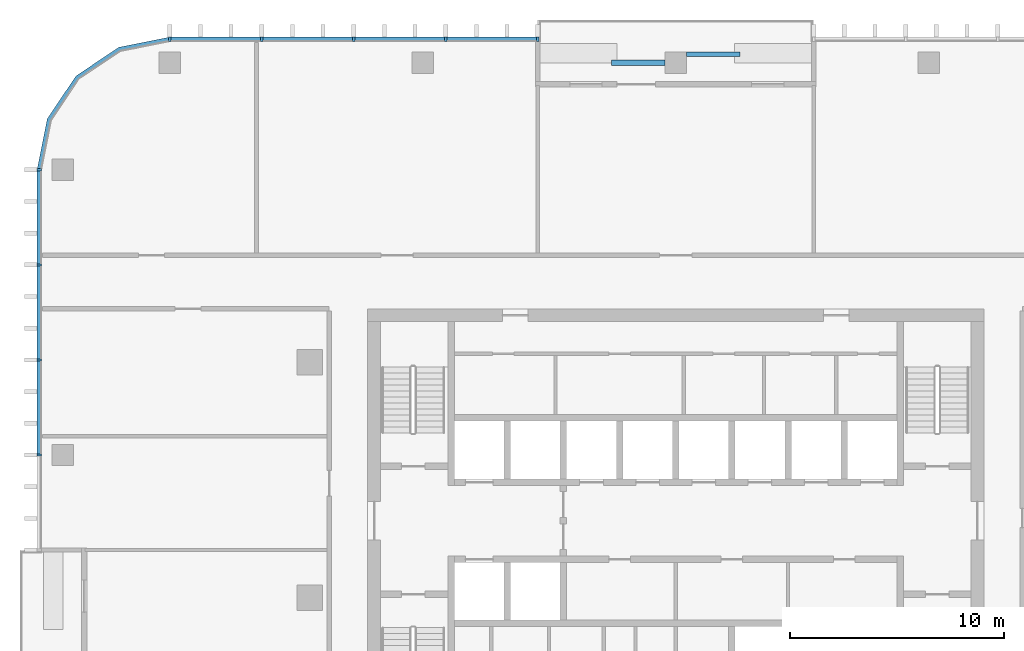
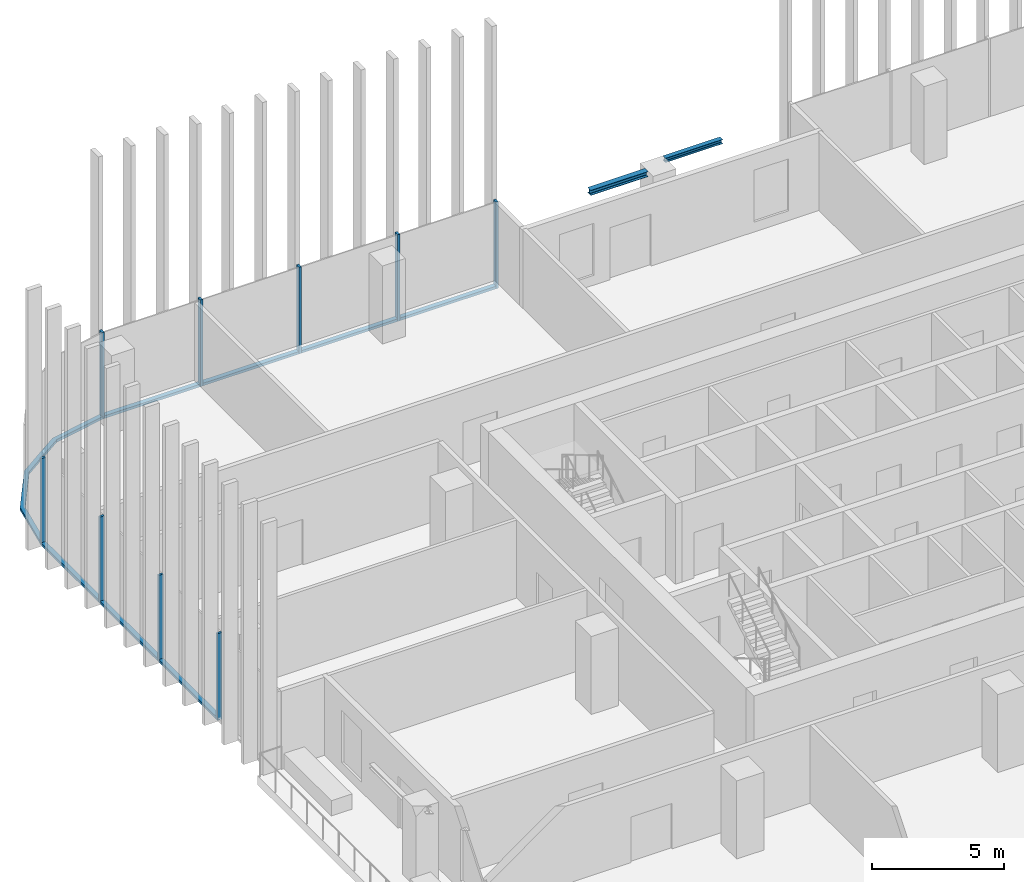
# One storey, part 4 of 16: 17 members, 2 beams, 3 elements without a shape of their own.
"""IFC4 building model written with IfcOpenShell, lengths in metres."""

from ifc_helpers import new_model, si_unit, direction, frame, origin, origin_2d, place, context, subcontext, project, spatial, polyline, rectangle, i_section, outline, extrude, material, material_profile, profile_set, type_object, element, aggregate, save


model = new_model("IFC4")

# Units and contexts
model_context = context("Model", 3, precision=1e-05, world=origin(), true_north=direction((0.0, 1.0)))
body_context = subcontext(model_context, "Body", "Model", "MODEL_VIEW")
ifc_project = project(units=[si_unit("LENGTHUNIT", "METRE"), si_unit("AREAUNIT", "SQUARE_METRE"), si_unit("VOLUMEUNIT", "CUBIC_METRE"), si_unit("PLANEANGLEUNIT", "RADIAN"), si_unit("MASSUNIT", "GRAM", prefix="KILO")], contexts=[model_context])

# Site, building, storey
site_placement = place(None, origin())
site = spatial("IfcSite", under=ifc_project, at=site_placement, CompositionType="ELEMENT")
building_placement = place(site_placement, origin())
building = spatial("IfcBuilding", under=site, at=building_placement, Name="Mopane Tessera Tower", CompositionType="ELEMENT")
storey_placement = place(building_placement, frame((0.0, 0.0, 267.39990234375)))
storey = spatial("IfcBuildingStorey", under=building, at=storey_placement, Name="L57", CompositionType="ELEMENT", Elevation=267.39990234375)

# Curtain wall, members
ifc_material_1 = material(Name="Aluminium frame", Category="aluminium")
curtain_wall_type = type_object("IfcCurtainWallType", Name="Unitised curtain wall", PredefinedType="NOTDEFINED", material=ifc_material_1)
curtain_wall_1_placement = place(storey_placement, origin())
curtain_wall_1 = element("IfcCurtainWall", 1, at=curtain_wall_1_placement, inside=storey, type_object=curtain_wall_type, Name="e:cw:L57:N:7", PredefinedType="NOTDEFINED")
ifc_material_2 = material(Name="Aluminium frame", Category="aluminium")
ifc_material_profile_1 = material_profile(ifc_material_2, rectangle(XDim=0.10009765625, YDim=0.199951171875, at=origin_2d()))
ifc_profile_set_1 = profile_set([ifc_material_profile_1], Name="Aluminium frame")
member_type_1 = type_object("IfcMemberType", Name="Aluminium mullion 100 x 200", PredefinedType="MULLION", material=ifc_profile_set_1)
member_1_placement = place(storey_placement, frame((-6.449951171875, 26.10009765625, -0.39990234375), z_axis=(0.0, 0.0, 1.0), x_axis=(-1.0, 0.0, 0.0)))
member_1 = element("IfcMember", 2, at=member_1_placement, type_object=member_type_1, Name="e:cw:L57:N:7:mu7", PredefinedType="MULLION", context=body_context, shape_type="SweptSolid", body=[
    extrude(rectangle(XDim=0.10009765625, YDim=0.199951171875, at=origin_2d()), origin(), (0.0, 0.0, 1.0), 4.0),
])
member_2_placement = place(storey_placement, frame((-10.75, 26.10009765625, -0.39990234375), z_axis=(0.0, 0.0, 1.0), x_axis=(-1.0, 0.0, 0.0)))
member_2 = element("IfcMember", 3, at=member_2_placement, type_object=member_type_1, Name="e:cw:L57:N:7:mu8", PredefinedType="MULLION", context=body_context, shape_type="SweptSolid", body=[
    extrude(rectangle(XDim=0.10009765625, YDim=0.199951171875, at=origin_2d()), origin(), (0.0, 0.0, 1.0), 4.0),
])
member_3_placement = place(storey_placement, frame((-15.050048828125, 26.10009765625, -0.39990234375), z_axis=(0.0, 0.0, 1.0), x_axis=(-1.0, 0.0, 0.0)))
member_3 = element("IfcMember", 4, at=member_3_placement, type_object=member_type_1, Name="e:cw:L57:N:7:mu9", PredefinedType="MULLION", context=body_context, shape_type="SweptSolid", body=[
    extrude(rectangle(XDim=0.10009765625, YDim=0.199951171875, at=origin_2d()), origin(), (0.0, 0.0, 1.0), 4.0),
])
member_4_placement = place(storey_placement, frame((-19.35009765625, 26.10009765625, -0.39990234375), z_axis=(0.0, 0.0, 1.0), x_axis=(-1.0, 0.0, 0.0)))
member_4 = element("IfcMember", 5, at=member_4_placement, type_object=member_type_1, Name="e:cw:L57:N:7:mu10", PredefinedType="MULLION", context=body_context, shape_type="SweptSolid", body=[
    extrude(rectangle(XDim=0.10009765625, YDim=0.199951171875, at=origin_2d()), origin(), (0.0, 0.0, 1.0), 4.0),
])
member_5_placement = place(storey_placement, frame((-23.64990234375, 26.10009765625, -0.39990234375), z_axis=(0.0, 0.0, 1.0), x_axis=(-1.0, 0.0, 0.0)))
member_5 = element("IfcMember", 6, at=member_5_placement, type_object=member_type_1, Name="e:cw:L57:N:7:mu11", PredefinedType="MULLION", context=body_context, shape_type="SweptSolid", body=[
    extrude(rectangle(XDim=0.10009765625, YDim=0.199951171875, at=origin_2d()), origin(), (0.0, 0.0, 1.0), 4.0),
])

curtain_wall_2_placement = place(storey_placement, origin())
curtain_wall_2 = element("IfcCurtainWall", 7, at=curtain_wall_2_placement, inside=storey, type_object=curtain_wall_type, Name="e:cw:L57:W:0", PredefinedType="NOTDEFINED")
member_6_placement = place(storey_placement, frame((-29.75, 20.0, -0.39990234375), z_axis=(0.0, 0.0, 1.0), x_axis=(0.0, -1.0, 0.0)))
member_6 = element("IfcMember", 8, at=member_6_placement, type_object=member_type_1, Name="e:cw:L57:W:0:mu0", PredefinedType="MULLION", context=body_context, shape_type="SweptSolid", body=[
    extrude(rectangle(XDim=0.10009765625, YDim=0.199951171875, at=origin_2d()), origin(), (0.0, 0.0, 1.0), 4.0),
])
member_7_placement = place(storey_placement, frame((-29.75, 15.5556640625, -0.39990234375), z_axis=(0.0, 0.0, 1.0), x_axis=(0.0, -1.0, 0.0)))
member_7 = element("IfcMember", 9, at=member_7_placement, type_object=member_type_1, Name="e:cw:L57:W:0:mu1", PredefinedType="MULLION", context=body_context, shape_type="SweptSolid", body=[
    extrude(rectangle(XDim=0.10009765625, YDim=0.199951171875, at=origin_2d()), origin(), (0.0, 0.0, 1.0), 4.0),
])
member_8_placement = place(storey_placement, frame((-29.75, 11.111083984375, -0.39990234375), z_axis=(0.0, 0.0, 1.0), x_axis=(0.0, -1.0, 0.0)))
member_8 = element("IfcMember", 10, at=member_8_placement, type_object=member_type_1, Name="e:cw:L57:W:0:mu2", PredefinedType="MULLION", context=body_context, shape_type="SweptSolid", body=[
    extrude(rectangle(XDim=0.10009765625, YDim=0.199951171875, at=origin_2d()), origin(), (0.0, 0.0, 1.0), 4.0),
])
member_9_placement = place(storey_placement, frame((-29.75, 6.666748046875, -0.39990234375), z_axis=(0.0, 0.0, 1.0), x_axis=(0.0, -1.0, 0.0)))
member_9 = element("IfcMember", 11, at=member_9_placement, type_object=member_type_1, Name="e:cw:L57:W:0:mu3", PredefinedType="MULLION", context=body_context, shape_type="SweptSolid", body=[
    extrude(rectangle(XDim=0.10009765625, YDim=0.199951171875, at=origin_2d()), origin(), (0.0, 0.0, 1.0), 4.0),
])

# Member
ifc_material_3 = material(Name="Aluminium frame", Category="aluminium")
ifc_material_profile_2 = material_profile(ifc_material_3, rectangle(XDim=0.199951171875, YDim=0.1201171875, at=origin_2d()))
ifc_profile_set_2 = profile_set([ifc_material_profile_2], Name="Aluminium frame")
member_type_2 = type_object("IfcMemberType", Name="Aluminium transom 200 x 120", PredefinedType="USERDEFINED", material=ifc_profile_set_2)
member_10_placement = place(storey_placement, frame((-6.5, 26.10009765625, -0.33984375), z_axis=(-1.0, 0.0, 0.0), x_axis=(0.0, -1.0, 0.0)))
member_10 = element("IfcMember", 12, at=member_10_placement, type_object=member_type_2, Name="e:cw:L57:N:7:tr7", ObjectType="TRANSOM", PredefinedType="USERDEFINED", context=body_context, shape_type="SweptSolid", body=[
    extrude(rectangle(XDim=0.199951171875, YDim=0.1201171875, at=origin_2d()), origin(), (0.0, 0.0, 1.0), 4.199951171875),
])

member_11_placement = place(storey_placement, frame((-10.800048828125, 26.10009765625, -0.33984375), z_axis=(-1.0, 0.0, 0.0), x_axis=(0.0, -1.0, 0.0)))
member_11 = element("IfcMember", 13, at=member_11_placement, type_object=member_type_2, Name="e:cw:L57:N:7:tr8", ObjectType="TRANSOM", PredefinedType="USERDEFINED", context=body_context, shape_type="SweptSolid", body=[
    extrude(rectangle(XDim=0.199951171875, YDim=0.1201171875, at=origin_2d()), origin(), (0.0, 0.0, 1.0), 4.199951171875),
])

member_12_placement = place(storey_placement, frame((-15.10009765625, 26.10009765625, -0.33984375), z_axis=(-1.0, 0.0, 0.0), x_axis=(0.0, -1.0, 0.0)))
member_12 = element("IfcMember", 14, at=member_12_placement, type_object=member_type_2, Name="e:cw:L57:N:7:tr9", ObjectType="TRANSOM", PredefinedType="USERDEFINED", context=body_context, shape_type="SweptSolid", body=[
    extrude(rectangle(XDim=0.199951171875, YDim=0.1201171875, at=origin_2d()), origin(), (0.0, 0.0, 1.0), 4.199951171875),
])

member_13_placement = place(storey_placement, frame((-19.39990234375, 26.10009765625, -0.33984375), z_axis=(-1.0, 0.0, 0.0), x_axis=(0.0, -1.0, 0.0)))
member_13 = element("IfcMember", 15, at=member_13_placement, type_object=member_type_2, Name="e:cw:L57:N:7:tr10", ObjectType="TRANSOM", PredefinedType="USERDEFINED", context=body_context, shape_type="SweptSolid", body=[
    extrude(rectangle(XDim=0.199951171875, YDim=0.1201171875, at=origin_2d()), origin(), (0.0, 0.0, 1.0), 4.2001953125),
])

aggregate(curtain_wall_1, [member_1, member_2, member_3, member_4, member_5, member_10, member_11, member_12, member_13])

# Curtain wall, member
curtain_wall_3_placement = place(storey_placement, origin())
curtain_wall_3 = element("IfcCurtainWall", 16, at=curtain_wall_3_placement, inside=storey, type_object=curtain_wall_type, Name="e:cw:L57:CN", PredefinedType="NOTDEFINED")
member_14_placement = place(storey_placement, frame((0.0, 0.0, -0.39990234375)))
member_14 = element("IfcMember", 17, at=member_14_placement, type_object=member_type_2, Name="e:cw:L57:CN:tr", ObjectType="TRANSOM", PredefinedType="USERDEFINED", context=body_context, shape_type="SweptSolid", body=[
    extrude(outline(polyline([(-23.64990234375, 26.0), (-25.946044921875, 25.543212890625), (-27.892578125, 24.24267578125), (-29.193359375, 22.296142578125), (-29.64990234375, 20.0), (-29.85009765625, 20.0), (-29.378173828125, 22.37255859375), (-28.0341796875, 24.384033203125), (-26.022705078125, 25.72802734375), (-23.64990234375, 26.199951171875), (-23.64990234375, 26.0)])), origin(), (0.0, 0.0, 1.0), 0.1201171875),
])
aggregate(curtain_wall_3, [member_14])

# Member
member_15_placement = place(storey_placement, frame((-29.75, 19.949951171875, -0.33984375), z_axis=(0.0, -1.0, 0.0), x_axis=(1.0, 0.0, 0.0)))
member_15 = element("IfcMember", 18, at=member_15_placement, type_object=member_type_2, Name="e:cw:L57:W:0:tr0", ObjectType="TRANSOM", PredefinedType="USERDEFINED", context=body_context, shape_type="SweptSolid", body=[
    extrude(rectangle(XDim=0.199951171875, YDim=0.1201171875, at=origin_2d()), origin(), (0.0, 0.0, 1.0), 4.344482421875),
])

member_16_placement = place(storey_placement, frame((-29.75, 15.505615234375, -0.33984375), z_axis=(0.0, -1.0, 0.0), x_axis=(1.0, 0.0, 0.0)))
member_16 = element("IfcMember", 19, at=member_16_placement, type_object=member_type_2, Name="e:cw:L57:W:0:tr1", ObjectType="TRANSOM", PredefinedType="USERDEFINED", context=body_context, shape_type="SweptSolid", body=[
    extrude(rectangle(XDim=0.199951171875, YDim=0.1201171875, at=origin_2d()), origin(), (0.0, 0.0, 1.0), 4.344482421875),
])

member_17_placement = place(storey_placement, frame((-29.75, 11.06103515625, -0.33984375), z_axis=(0.0, -1.0, 0.0), x_axis=(1.0, 0.0, 0.0)))
member_17 = element("IfcMember", 20, at=member_17_placement, type_object=member_type_2, Name="e:cw:L57:W:0:tr2", ObjectType="TRANSOM", PredefinedType="USERDEFINED", context=body_context, shape_type="SweptSolid", body=[
    extrude(rectangle(XDim=0.199951171875, YDim=0.1201171875, at=origin_2d()), origin(), (0.0, 0.0, 1.0), 4.344482421875),
])

aggregate(curtain_wall_2, [member_6, member_7, member_8, member_9, member_15, member_16, member_17])

# Beams
ifc_material_4 = material(Name="Structural steel S460", Category="steel")
ifc_material_profile_3 = material_profile(ifc_material_4, i_section(OverallWidth=0.239990234375, OverallDepth=0.239990234375, WebThickness=0.010009765625, FlangeThickness=0.01708984375, FilletRadius=0.02099609375, at=origin_2d()))
ifc_profile_set_3 = profile_set([ifc_material_profile_3], Name="Structural steel S460")
beam_type_1 = type_object("IfcBeamType", Name="Terrace spandrel beam HE 240 B", PredefinedType="SPANDREL", material=ifc_profile_set_3)
beam_1_placement = place(storey_placement, frame((-0.5029296875, 25.0, 3.47998046875), z_axis=(-1.0, 0.0, 0.0), x_axis=(0.0, -1.0, 0.0)))
element("IfcBeam", 21, at=beam_1_placement, inside=storey, type_object=beam_type_1, Name="Terrace spandrel beam N2 L58", PredefinedType="SPANDREL", context=body_context, shape_type="SweptSolid", body=[
    extrude(i_section(OverallWidth=0.239990234375, OverallDepth=0.239990234375, WebThickness=0.010009765625, FlangeThickness=0.01708984375, FilletRadius=0.02099609375, at=origin_2d()), origin(), (0.0, 0.0, 1.0), 2.5),
])
ifc_material_5 = material(Name="Structural steel S460", Category="steel")
ifc_material_profile_4 = material_profile(ifc_material_5, i_section(OverallWidth=0.199951171875, OverallDepth=0.199951171875, WebThickness=0.009033203125, FlangeThickness=0.014892578125, FilletRadius=0.01806640625, at=origin_2d()))
ifc_profile_set_4 = profile_set([ifc_material_profile_4], Name="Structural steel S460")
beam_type_2 = type_object("IfcBeamType", Name="Terrace trimmer beam HE 200 B", PredefinedType="BEAM", material=ifc_profile_set_4)
beam_2_placement = place(storey_placement, frame((0.5029296875, 25.39990234375, 3.5), z_axis=(1.0, 0.0, 0.0), x_axis=(0.0, 1.0, 0.0)))
element("IfcBeam", 22, at=beam_2_placement, inside=storey, type_object=beam_type_2, Name="Terrace trimmer beam N2 L58", PredefinedType="BEAM", context=body_context, shape_type="SweptSolid", body=[
    extrude(i_section(OverallWidth=0.199951171875, OverallDepth=0.199951171875, WebThickness=0.009033203125, FlangeThickness=0.014892578125, FilletRadius=0.01806640625, at=origin_2d()), origin(), (0.0, 0.0, 1.0), 2.5),
])

save(model, "model.ifc")
